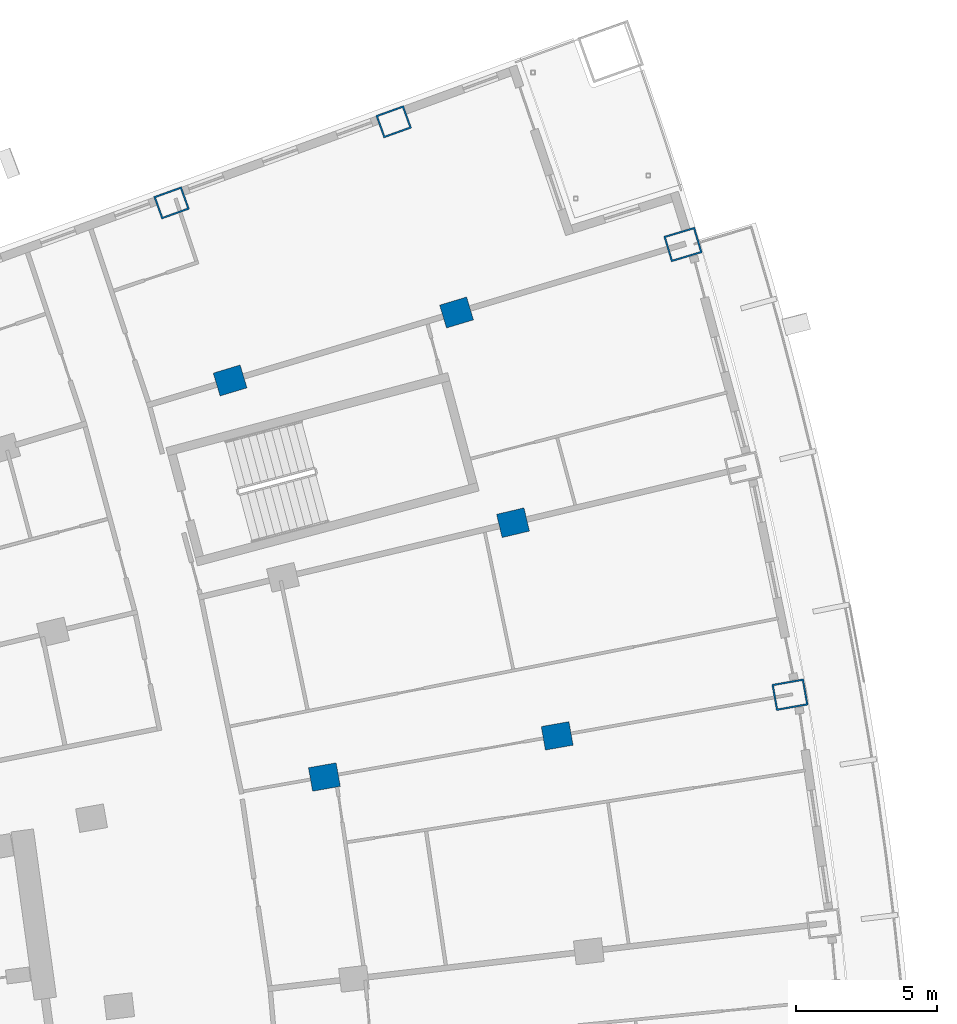
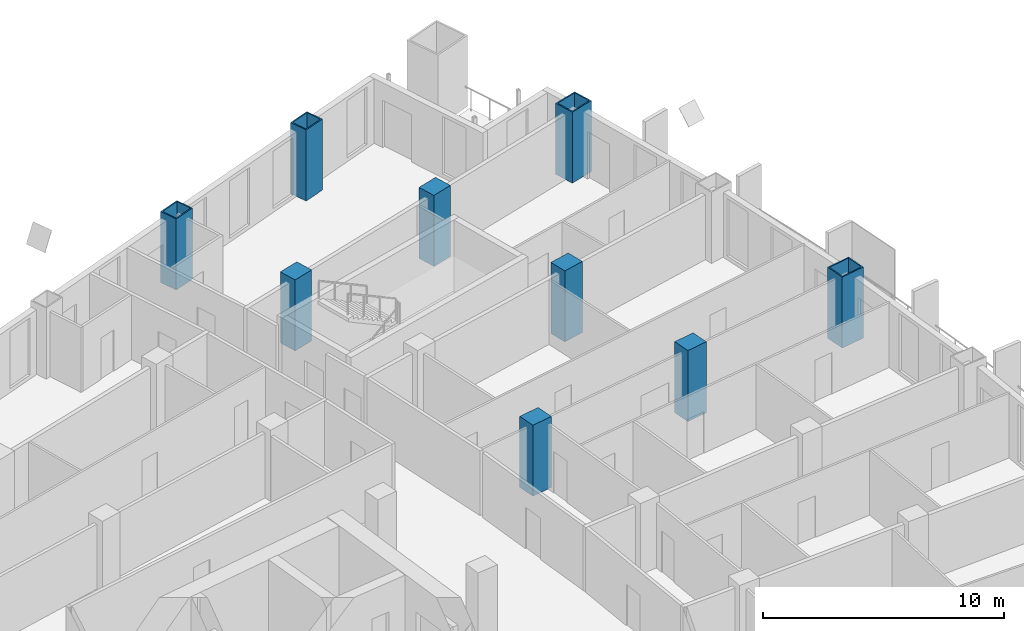
# One storey, part 10 of 25: 9 columns.
"""IFC4 building model written with IfcOpenShell, lengths in metres."""

from ifc_helpers import new_model, si_unit, direction, frame, origin, origin_2d, place, context, subcontext, project, spatial, rectangle, hollow_rectangle, extrude, material, material_profile, profile_set, type_object, element, save


model = new_model("IFC4")

# Units and contexts
model_context = context("Model", 3, precision=1e-05, world=origin(), true_north=direction((0.0, 1.0)))
body_context = subcontext(model_context, "Body", "Model", "MODEL_VIEW")
ifc_project = project(units=[si_unit("LENGTHUNIT", "METRE"), si_unit("AREAUNIT", "SQUARE_METRE"), si_unit("VOLUMEUNIT", "CUBIC_METRE"), si_unit("PLANEANGLEUNIT", "RADIAN"), si_unit("MASSUNIT", "GRAM", prefix="KILO")], contexts=[model_context])

# Site, building, storey
site_placement = place(None, origin())
site = spatial("IfcSite", under=ifc_project, at=site_placement, CompositionType="ELEMENT")
building_placement = place(site_placement, origin())
building = spatial("IfcBuilding", under=site, at=building_placement, Name="Alderwake Tower", CompositionType="ELEMENT")
storey_placement = place(building_placement, frame((0.0, 0.0, 111.199951171875)))
storey = spatial("IfcBuildingStorey", under=building, at=storey_placement, Name="L27", CompositionType="ELEMENT", Elevation=111.199951171875)

# Columns
ifc_material_1 = material(Name="Steel ASTM A572 Grade 50 concrete filled C70/85", Category="concrete")
ifc_material_profile_1 = material_profile(ifc_material_1, hollow_rectangle(XDim=0.85009765625, YDim=1.050048828125, WallThickness=0.06005859375, at=origin_2d()), Name="BOX 1050X850X60")
ifc_profile_set_1 = profile_set([ifc_material_profile_1], Name="Steel ASTM A572 Grade 50 concrete filled C70/85")
column_type_1 = type_object("IfcColumnType", Name="End column Z2", PredefinedType="COLUMN", material=ifc_profile_set_1)
for number, where, z_axis, x_axis, name in (
    (1, (36.87451171875, 103.023681640625, 0.0), (0.0, 0.0, 1.0), (-0.338355272059, 0.941018442896, 0.0), "Column R13-C3"),
    (2, (44.765380859375, 105.904296875, 0.0), (0.0, 0.0, 1.0), (-0.338644316206, 0.940914463223, 0.0), "Column R13-C4"),
):
    element("IfcColumn", number, at=place(storey_placement, frame(where, z_axis=z_axis, x_axis=x_axis)), inside=storey, type_object=column_type_1, Name=name, PredefinedType="COLUMN", context=body_context, shape_type="SweptSolid", body=[
        extrude(hollow_rectangle(XDim=0.85009765625, YDim=1.050048828125, WallThickness=0.06005859375, at=origin_2d()), origin(), (0.0, 0.0, 1.0), 3.60009765625),
    ])
ifc_material_2 = material(Name="Concrete C70/85", Category="concrete")
ifc_material_profile_2 = material_profile(ifc_material_2, rectangle(XDim=0.85009765625, YDim=1.0, at=origin_2d()), Name="RC 1000X850")
ifc_profile_set_2 = profile_set([ifc_material_profile_2], Name="Concrete C70/85")
column_type_2 = type_object("IfcColumnType", Name="Interior column Z2", PredefinedType="COLUMN", material=ifc_profile_set_2)
for number, where, z_axis, x_axis, name in (
    (3, (42.302978515625, 82.624267578125, 0.0), (0.0, 0.0, 1.0), (-0.174108800747, 0.984726421654, 0.0), "Column R10-C3"),
    (4, (50.57470703125, 84.086669921875, 0.0), (0.0, 0.0, 1.0), (-0.174107082075, 0.984726725529, 0.0), "Column R10-C4"),
    (5, (49.006591796875, 91.659912109375, 0.0), (0.0, 0.0, 1.0), (-0.231221547198, 0.972901123502, 0.0), "Column R11-C4"),
    (6, (38.95458984375, 96.713623046875, 0.0), (0.0, 0.0, 1.0), (-0.287549418125, 0.957765802342, 0.0), "Column R12-C3"),
    (7, (46.999755859375, 99.12890625, 0.0), (0.0, 0.0, 1.0), (-0.287549418125, 0.957765802342, 0.0), "Column R12-C4"),
):
    element("IfcColumn", number, at=place(storey_placement, frame(where, z_axis=z_axis, x_axis=x_axis)), inside=storey, type_object=column_type_2, Name=name, PredefinedType="COLUMN", context=body_context, shape_type="SweptSolid", body=[
        extrude(rectangle(XDim=0.85009765625, YDim=1.0, at=origin_2d()), origin(), (0.0, 0.0, 1.0), 3.60009765625),
    ])
ifc_material_3 = material(Name="Steel ASTM A572 Grade 50 concrete filled C70/85", Category="concrete")
ifc_material_profile_3 = material_profile(ifc_material_3, hollow_rectangle(XDim=0.949951171875, YDim=1.14990234375, WallThickness=0.06005859375, at=origin_2d()), Name="BOX 1150X950X60")
ifc_profile_set_3 = profile_set([ifc_material_profile_3], Name="Steel ASTM A572 Grade 50 concrete filled C70/85")
column_type_3 = type_object("IfcColumnType", Name="Perimeter column Z2", PredefinedType="COLUMN", material=ifc_profile_set_3)
for number, where, z_axis, x_axis, name in (
    (8, (58.846435546875, 85.54931640625, 0.0), (0.0, 0.0, 1.0), (-0.174107082075, 0.984726725529, 0.0), "Column R10-C5"),
    (9, (55.044921875, 101.54443359375, 0.0), (0.0, 0.0, 1.0), (-0.287549418125, 0.957765802342, 0.0), "Column R12-C5"),
):
    element("IfcColumn", number, at=place(storey_placement, frame(where, z_axis=z_axis, x_axis=x_axis)), inside=storey, type_object=column_type_3, Name=name, PredefinedType="COLUMN", context=body_context, shape_type="SweptSolid", body=[
        extrude(hollow_rectangle(XDim=0.949951171875, YDim=1.14990234375, WallThickness=0.06005859375, at=origin_2d()), origin(), (0.0, 0.0, 1.0), 3.60009765625),
    ])

save(model, "model.ifc")
